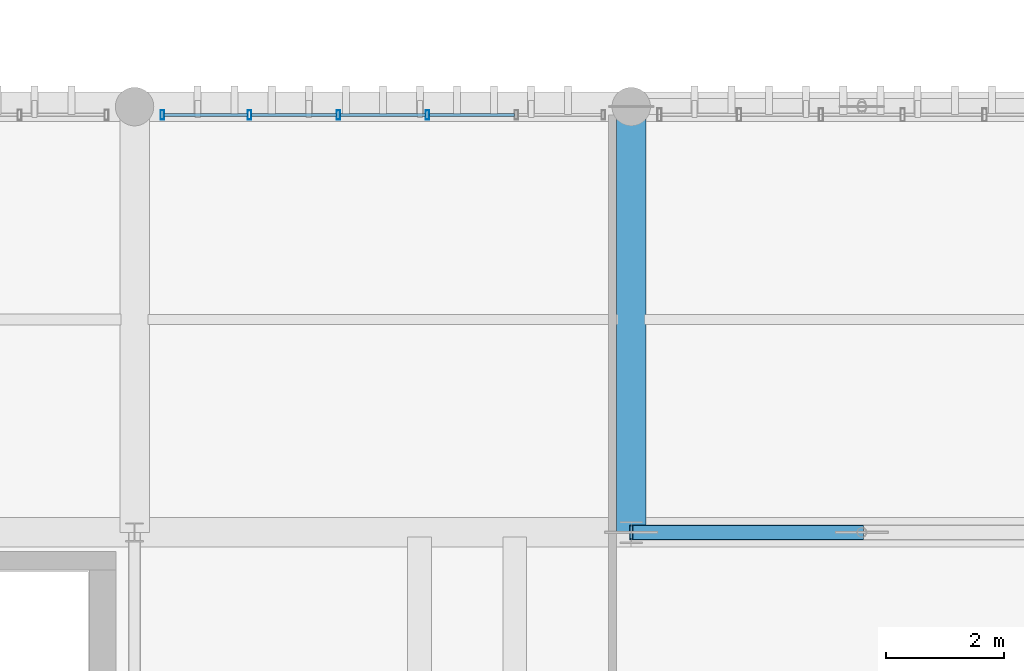
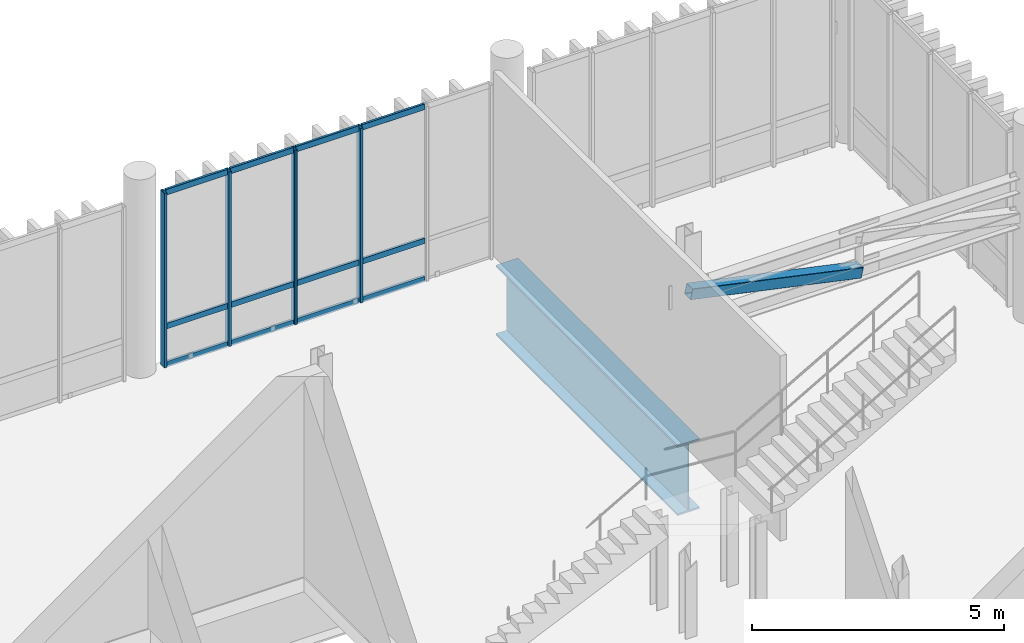
# One storey, part 40 of 86: 17 members, 1 beam, 1 element without a shape of its own.
"""IFC4 building model written with IfcOpenShell, lengths in metres."""

from ifc_helpers import new_model, si_unit, direction, frame, origin_with_axes, origin_2d_with_axis, place, context, subcontext, project, spatial, hollow_rectangle, i_section, extrude, material, material_profile, profile_set, type_object, element, aggregate, save


model = new_model("IFC4")

# Units and contexts
model_context = context("Model", 3, precision=1e-05, world=origin_with_axes(), true_north=direction((0.0, 1.0)))
body_context = subcontext(model_context, "Body", "Model", "MODEL_VIEW")
ifc_project = project(units=[si_unit("LENGTHUNIT", "METRE"), si_unit("AREAUNIT", "SQUARE_METRE"), si_unit("VOLUMEUNIT", "CUBIC_METRE"), si_unit("PLANEANGLEUNIT", "RADIAN"), si_unit("MASSUNIT", "GRAM", prefix="KILO"), si_unit("THERMODYNAMICTEMPERATUREUNIT", "KELVIN")], contexts=[model_context])

# Site, building, storey
site_placement = place(None, origin_with_axes())
site = spatial("IfcSite", under=ifc_project, at=site_placement, CompositionType="ELEMENT")
building_placement = place(site_placement, origin_with_axes())
building = spatial("IfcBuilding", under=site, at=building_placement, Name="Montbau Bow Law Courts", CompositionType="ELEMENT")
storey_placement = place(building_placement, frame((0.0, 0.0, 29.7), z_axis=(0.0, 0.0, 1.0), x_axis=(1.0, 0.0, 0.0)))
storey = spatial("IfcBuildingStorey", under=building, at=storey_placement, Name="L06", CompositionType="ELEMENT", Elevation=29.7)

# Beam
ifc_material_1 = material(Name="Steel CSA G40.21 Grade 350WT (350 MPa)", Category="steel")
ifc_material_profile_1 = material_profile(ifc_material_1, i_section(OverallWidth=0.5, OverallDepth=1.7, WebThickness=0.02, FlangeThickness=0.045, at=origin_2d_with_axis()), Name="WWF1700X480", Category="Main", Priority=0)
ifc_profile_set_1 = profile_set([ifc_material_profile_1], Name="Steel CSA G40.21 Grade 350WT (350 MPa)")
beam_type = type_object("IfcBeamType", Name="B-TRG-02", PredefinedType="USERDEFINED", material=ifc_profile_set_1)
beam_placement = place(None, frame((97.2, 54.6, 28.51), z_axis=(0.0, 1.0, 0.0), x_axis=(-1.0, 0.0, 0.0)))
element("IfcBeam", 1, at=beam_placement, inside=storey, type_object=beam_type, Name="TRG-L06-S0075:bm2_0078", ObjectType="GIRDER", PredefinedType="USERDEFINED", context=body_context, shape_type="SweptSolid", body=[
    extrude(i_section(OverallWidth=0.5, OverallDepth=1.7, WebThickness=0.02, FlangeThickness=0.045, at=origin_2d_with_axis()), origin_with_axes(), (0.0, 0.0, 1.0), 7.2),
])

# Member
ifc_material_2 = material(Name="Steel CSA G40.21 Grade 350W (350 MPa)", Category="steel")
ifc_material_profile_2 = material_profile(ifc_material_2, hollow_rectangle(XDim=0.254, YDim=0.254, WallThickness=0.0127, InnerFilletRadius=0.0254, OuterFilletRadius=0.0127, at=origin_2d_with_axis()), Name="HSS254X254X13", Category="Main", Priority=0)
ifc_profile_set_2 = profile_set([ifc_material_profile_2], Name="Steel CSA G40.21 Grade 350W (350 MPa)")
member_type_1 = type_object("IfcMemberType", Name="M-BRC-01", PredefinedType="BRACE", material=ifc_profile_set_2)
member_1_placement = place(None, frame((97.2, 54.6, 33.0), z_axis=(0.977581781, 0.0, -0.210556076), x_axis=(0.0, 1.0, 0.0)))
element("IfcMember", 2, at=member_1_placement, inside=storey, type_object=member_type_1, Name="Diagonal brace BRC-L06-015", PredefinedType="BRACE", context=body_context, shape_type="SweptSolid", body=[
    extrude(hollow_rectangle(XDim=0.254, YDim=0.254, WallThickness=0.0127, InnerFilletRadius=0.0254, OuterFilletRadius=0.0127, at=origin_2d_with_axis()), origin_with_axes(), (0.0, 0.0, 1.0), 3.989436),
])

# Curtain wall, members
ifc_material_3 = material(Name="Thermally Broken Extruded Aluminium AA 6063-T6", Category="aluminium")
curtain_wall_type = type_object("IfcCurtainWallType", Name="CW-CRM-02", PredefinedType="NOTDEFINED", material=ifc_material_3)
curtain_wall_placement = place(None, frame((89.24, 61.66, 29.7), z_axis=(0.0, 0.0, 1.0), x_axis=(1.0, 0.0, 0.0)))
curtain_wall = element("IfcCurtainWall", 3, at=curtain_wall_placement, inside=storey, type_object=curtain_wall_type, Name="CW-L06-233:cw_0233", PredefinedType="NOTDEFINED")
ifc_material_profile_3 = material_profile(ifc_material_3, hollow_rectangle(XDim=0.06, YDim=0.16, WallThickness=0.004, InnerFilletRadius=0.008, OuterFilletRadius=0.004, at=origin_2d_with_axis()), Name="CWM-160X60", Category="Main", Priority=0)
ifc_profile_set_3 = profile_set([ifc_material_profile_3], Name="Thermally Broken Extruded Aluminium AA 6063-T6")
member_type_2 = type_object("IfcMemberType", Name="M-MUL-03", PredefinedType="MULLION", material=ifc_profile_set_3)
member_2_placement = place(None, frame((89.27, 61.66, 29.7), z_axis=(0.0, 0.0, 1.0), x_axis=(1.0, 0.0, 0.0)))
member_2 = element("IfcMember", 4, at=member_2_placement, type_object=member_type_2, Name="CW-L06-233-M01:cw_0233_M01", PredefinedType="MULLION", context=body_context, shape_type="SweptSolid", body=[
    extrude(hollow_rectangle(XDim=0.06, YDim=0.16, WallThickness=0.004, InnerFilletRadius=0.008, OuterFilletRadius=0.004, at=origin_2d_with_axis()), origin_with_axes(), (0.0, 0.0, 1.0), 4.22),
])
member_3_placement = place(None, frame((90.744, 61.66, 29.7), z_axis=(0.0, 0.0, 1.0), x_axis=(1.0, 0.0, 0.0)))
member_3 = element("IfcMember", 5, at=member_3_placement, type_object=member_type_2, Name="CW-L06-233-M02:cw_0233_M02", PredefinedType="MULLION", context=body_context, shape_type="SweptSolid", body=[
    extrude(hollow_rectangle(XDim=0.06, YDim=0.16, WallThickness=0.004, InnerFilletRadius=0.008, OuterFilletRadius=0.004, at=origin_2d_with_axis()), origin_with_axes(), (0.0, 0.0, 1.0), 4.22),
])
member_4_placement = place(None, frame((92.248, 61.66, 29.7), z_axis=(0.0, 0.0, 1.0), x_axis=(1.0, 0.0, 0.0)))
member_4 = element("IfcMember", 6, at=member_4_placement, type_object=member_type_2, Name="CW-L06-233-M03:cw_0233_M03", PredefinedType="MULLION", context=body_context, shape_type="SweptSolid", body=[
    extrude(hollow_rectangle(XDim=0.06, YDim=0.16, WallThickness=0.004, InnerFilletRadius=0.008, OuterFilletRadius=0.004, at=origin_2d_with_axis()), origin_with_axes(), (0.0, 0.0, 1.0), 4.22),
])
member_5_placement = place(None, frame((93.752, 61.66, 29.7), z_axis=(0.0, 0.0, 1.0), x_axis=(1.0, 0.0, 0.0)))
member_5 = element("IfcMember", 7, at=member_5_placement, type_object=member_type_2, Name="CW-L06-233-M04:cw_0233_M04", PredefinedType="MULLION", context=body_context, shape_type="SweptSolid", body=[
    extrude(hollow_rectangle(XDim=0.06, YDim=0.16, WallThickness=0.004, InnerFilletRadius=0.008, OuterFilletRadius=0.004, at=origin_2d_with_axis()), origin_with_axes(), (0.0, 0.0, 1.0), 4.22),
])
ifc_material_profile_4 = material_profile(ifc_material_3, hollow_rectangle(XDim=0.055, YDim=0.14, WallThickness=0.004, InnerFilletRadius=0.008, OuterFilletRadius=0.004, at=origin_2d_with_axis()), Name="CWT-140X55", Category="Main", Priority=0)
ifc_profile_set_4 = profile_set([ifc_material_profile_4], Name="Thermally Broken Extruded Aluminium AA 6063-T6")
member_type_3 = type_object("IfcMemberType", Name="M-TRN-02", PredefinedType="USERDEFINED", material=ifc_profile_set_4)
member_6_placement = place(None, frame((89.302, 61.66, 29.727), z_axis=(1.0, 0.0, 0.0), x_axis=(0.0, 1.0, 0.0)))
member_6 = element("IfcMember", 8, at=member_6_placement, type_object=member_type_3, Name="CW-L06-233-T01-1:cw_0233_T01_1", ObjectType="TRANSOM", PredefinedType="USERDEFINED", context=body_context, shape_type="SweptSolid", body=[
    extrude(hollow_rectangle(XDim=0.055, YDim=0.14, WallThickness=0.004, InnerFilletRadius=0.008, OuterFilletRadius=0.004, at=origin_2d_with_axis()), origin_with_axes(), (0.0, 0.0, 1.0), 1.41),
])
member_7_placement = place(None, frame((89.302, 61.66, 30.65), z_axis=(1.0, 0.0, 0.0), x_axis=(0.0, 1.0, 0.0)))
member_7 = element("IfcMember", 9, at=member_7_placement, type_object=member_type_3, Name="CW-L06-233-T01-2:cw_0233_T01_2", ObjectType="TRANSOM", PredefinedType="USERDEFINED", context=body_context, shape_type="SweptSolid", body=[
    extrude(hollow_rectangle(XDim=0.055, YDim=0.14, WallThickness=0.004, InnerFilletRadius=0.008, OuterFilletRadius=0.004, at=origin_2d_with_axis()), origin_with_axes(), (0.0, 0.0, 1.0), 1.41),
])
member_8_placement = place(None, frame((89.302, 61.66, 33.892), z_axis=(1.0, 0.0, 0.0), x_axis=(0.0, 1.0, 0.0)))
member_8 = element("IfcMember", 10, at=member_8_placement, type_object=member_type_3, Name="CW-L06-233-T01-3:cw_0233_T01_3", ObjectType="TRANSOM", PredefinedType="USERDEFINED", context=body_context, shape_type="SweptSolid", body=[
    extrude(hollow_rectangle(XDim=0.055, YDim=0.14, WallThickness=0.004, InnerFilletRadius=0.008, OuterFilletRadius=0.004, at=origin_2d_with_axis()), origin_with_axes(), (0.0, 0.0, 1.0), 1.41),
])
member_9_placement = place(None, frame((90.776, 61.66, 29.727), z_axis=(1.0, 0.0, 0.0), x_axis=(0.0, 1.0, 0.0)))
member_9 = element("IfcMember", 11, at=member_9_placement, type_object=member_type_3, Name="CW-L06-233-T02-1:cw_0233_T02_1", ObjectType="TRANSOM", PredefinedType="USERDEFINED", context=body_context, shape_type="SweptSolid", body=[
    extrude(hollow_rectangle(XDim=0.055, YDim=0.14, WallThickness=0.004, InnerFilletRadius=0.008, OuterFilletRadius=0.004, at=origin_2d_with_axis()), origin_with_axes(), (0.0, 0.0, 1.0), 1.44),
])
member_10_placement = place(None, frame((90.776, 61.66, 30.65), z_axis=(1.0, 0.0, 0.0), x_axis=(0.0, 1.0, 0.0)))
member_10 = element("IfcMember", 12, at=member_10_placement, type_object=member_type_3, Name="CW-L06-233-T02-2:cw_0233_T02_2", ObjectType="TRANSOM", PredefinedType="USERDEFINED", context=body_context, shape_type="SweptSolid", body=[
    extrude(hollow_rectangle(XDim=0.055, YDim=0.14, WallThickness=0.004, InnerFilletRadius=0.008, OuterFilletRadius=0.004, at=origin_2d_with_axis()), origin_with_axes(), (0.0, 0.0, 1.0), 1.44),
])
member_11_placement = place(None, frame((90.776, 61.66, 33.892), z_axis=(1.0, 0.0, 0.0), x_axis=(0.0, 1.0, 0.0)))
member_11 = element("IfcMember", 13, at=member_11_placement, type_object=member_type_3, Name="CW-L06-233-T02-3:cw_0233_T02_3", ObjectType="TRANSOM", PredefinedType="USERDEFINED", context=body_context, shape_type="SweptSolid", body=[
    extrude(hollow_rectangle(XDim=0.055, YDim=0.14, WallThickness=0.004, InnerFilletRadius=0.008, OuterFilletRadius=0.004, at=origin_2d_with_axis()), origin_with_axes(), (0.0, 0.0, 1.0), 1.44),
])
member_12_placement = place(None, frame((92.28, 61.66, 29.727), z_axis=(1.0, 0.0, 0.0), x_axis=(0.0, 1.0, 0.0)))
member_12 = element("IfcMember", 14, at=member_12_placement, type_object=member_type_3, Name="CW-L06-233-T03-1:cw_0233_T03_1", ObjectType="TRANSOM", PredefinedType="USERDEFINED", context=body_context, shape_type="SweptSolid", body=[
    extrude(hollow_rectangle(XDim=0.055, YDim=0.14, WallThickness=0.004, InnerFilletRadius=0.008, OuterFilletRadius=0.004, at=origin_2d_with_axis()), origin_with_axes(), (0.0, 0.0, 1.0), 1.44),
])
member_13_placement = place(None, frame((92.28, 61.66, 30.65), z_axis=(1.0, 0.0, 0.0), x_axis=(0.0, 1.0, 0.0)))
member_13 = element("IfcMember", 15, at=member_13_placement, type_object=member_type_3, Name="CW-L06-233-T03-2:cw_0233_T03_2", ObjectType="TRANSOM", PredefinedType="USERDEFINED", context=body_context, shape_type="SweptSolid", body=[
    extrude(hollow_rectangle(XDim=0.055, YDim=0.14, WallThickness=0.004, InnerFilletRadius=0.008, OuterFilletRadius=0.004, at=origin_2d_with_axis()), origin_with_axes(), (0.0, 0.0, 1.0), 1.44),
])
member_14_placement = place(None, frame((92.28, 61.66, 33.892), z_axis=(1.0, 0.0, 0.0), x_axis=(0.0, 1.0, 0.0)))
member_14 = element("IfcMember", 16, at=member_14_placement, type_object=member_type_3, Name="CW-L06-233-T03-3:cw_0233_T03_3", ObjectType="TRANSOM", PredefinedType="USERDEFINED", context=body_context, shape_type="SweptSolid", body=[
    extrude(hollow_rectangle(XDim=0.055, YDim=0.14, WallThickness=0.004, InnerFilletRadius=0.008, OuterFilletRadius=0.004, at=origin_2d_with_axis()), origin_with_axes(), (0.0, 0.0, 1.0), 1.44),
])
member_15_placement = place(None, frame((93.784, 61.66, 29.727), z_axis=(1.0, 0.0, 0.0), x_axis=(0.0, 1.0, 0.0)))
member_15 = element("IfcMember", 17, at=member_15_placement, type_object=member_type_3, Name="CW-L06-233-T04-1:cw_0233_T04_1", ObjectType="TRANSOM", PredefinedType="USERDEFINED", context=body_context, shape_type="SweptSolid", body=[
    extrude(hollow_rectangle(XDim=0.055, YDim=0.14, WallThickness=0.004, InnerFilletRadius=0.008, OuterFilletRadius=0.004, at=origin_2d_with_axis()), origin_with_axes(), (0.0, 0.0, 1.0), 1.44),
])
member_16_placement = place(None, frame((93.784, 61.66, 30.65), z_axis=(1.0, 0.0, 0.0), x_axis=(0.0, 1.0, 0.0)))
member_16 = element("IfcMember", 18, at=member_16_placement, type_object=member_type_3, Name="CW-L06-233-T04-2:cw_0233_T04_2", ObjectType="TRANSOM", PredefinedType="USERDEFINED", context=body_context, shape_type="SweptSolid", body=[
    extrude(hollow_rectangle(XDim=0.055, YDim=0.14, WallThickness=0.004, InnerFilletRadius=0.008, OuterFilletRadius=0.004, at=origin_2d_with_axis()), origin_with_axes(), (0.0, 0.0, 1.0), 1.44),
])
member_17_placement = place(None, frame((93.784, 61.66, 33.892), z_axis=(1.0, 0.0, 0.0), x_axis=(0.0, 1.0, 0.0)))
member_17 = element("IfcMember", 19, at=member_17_placement, type_object=member_type_3, Name="CW-L06-233-T04-3:cw_0233_T04_3", ObjectType="TRANSOM", PredefinedType="USERDEFINED", context=body_context, shape_type="SweptSolid", body=[
    extrude(hollow_rectangle(XDim=0.055, YDim=0.14, WallThickness=0.004, InnerFilletRadius=0.008, OuterFilletRadius=0.004, at=origin_2d_with_axis()), origin_with_axes(), (0.0, 0.0, 1.0), 1.44),
])
aggregate(curtain_wall, [member_2, member_3, member_4, member_5, member_6, member_7, member_8, member_9, member_10, member_11, member_12, member_13, member_14, member_15, member_16, member_17])

save(model, "model.ifc")
